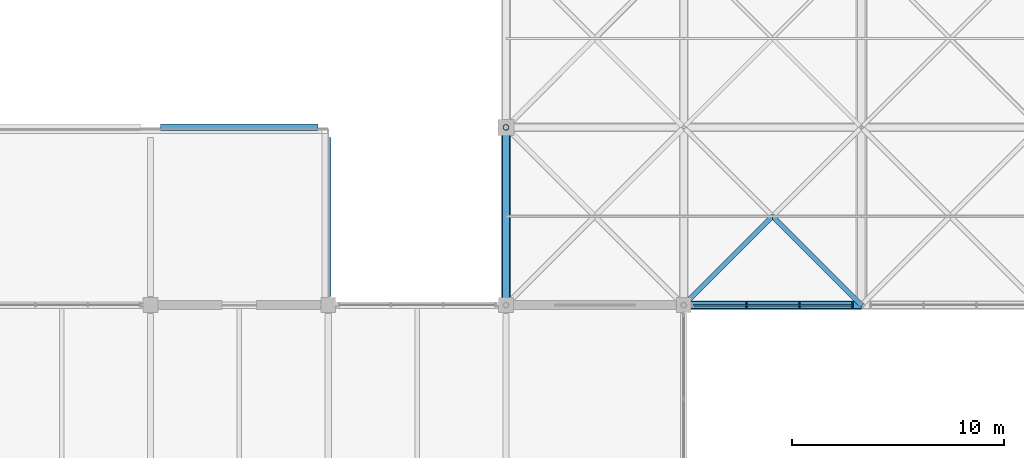
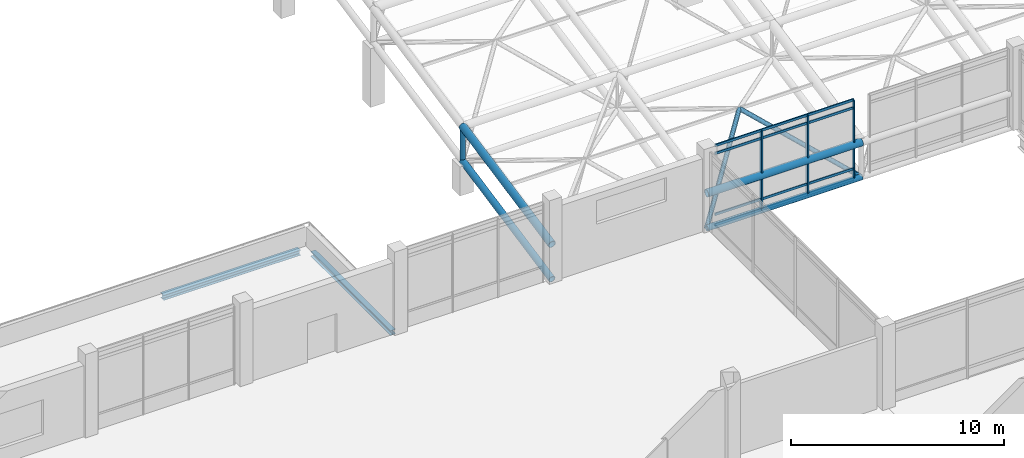
# One storey, part 22 of 110: 22 members, 2 beams, 1 element without a shape of its own.
"""IFC4 building model written with IfcOpenShell, lengths in metres."""

import ifcopenshell
import ifcopenshell.guid

model = None  # the IFC model being written
_history = None  # IfcOwnerHistory: only IFC2X3 demands one
_inside = {}  # id of a spatial element -> (the spatial element, [elements in it])
_under = {}  # id of a project, library or spatial element -> (it, [spatial elements below it])
_declared = {}  # id of a project -> (the project, [libraries it declares])
_typed = {}  # id of a type object -> (the type object, [elements of that type])
_made_of = {}  # id of a material, layer set ... -> (it, [elements and type objects made of it])


def new_model(schema):
    """Start an empty IFC model of exactly this schema.

    Asked for "IFC4X3", IfcOpenShell would pick the latest addendum, in which some entities
    have other attributes; the version numbers below select the first issue.
    IFC2X3 requires an IfcOwnerHistory on every rooted entity: one is made here for all.
    """
    global model, _history
    if schema == "IFC4X3":
        model = ifcopenshell.file(schema_version=(4, 3, 0, 0))
    else:
        model = ifcopenshell.file(schema=schema)
    _inside.clear()
    _under.clear()
    _declared.clear()
    _typed.clear()
    _made_of.clear()
    _history = None
    if model.schema == "IFC2X3":
        org = make("IfcOrganization", Name="unknown")
        user = make(
            "IfcPersonAndOrganization",
            ThePerson=make("IfcPerson", FamilyName="unknown"),
            TheOrganization=org,
        )
        app = make(
            "IfcApplication",
            ApplicationDeveloper=org,
            Version="unknown",
            ApplicationFullName="unknown",
            ApplicationIdentifier="unknown",
        )
        _history = make(
            "IfcOwnerHistory",
            OwningUser=user,
            OwningApplication=app,
            ChangeAction="ADDED",
            CreationDate=0,
        )
    return model


def make(cls, **values):
    """One entity of the class cls with the attributes given. An attribute that is None is left unset."""
    return model.create_entity(
        cls, **{name: value for name, value in values.items() if value is not None}
    )


def rooted(cls, **values):
    """An entity with a GlobalId (a new one), such as an element, a storey or a relation."""
    return make(cls, GlobalId=ifcopenshell.guid.new(), OwnerHistory=_history, **values)


def si_unit(unit_type, name, prefix=None):
    """IfcSIUnit, for example si_unit("LENGTHUNIT", "METRE", prefix="MILLI")."""
    return make("IfcSIUnit", UnitType=unit_type, Prefix=prefix, Name=name)


def assignment(units):
    """IfcUnitAssignment: the units of a project."""
    return None if units is None else make("IfcUnitAssignment", Units=units)


def point(xyz):
    """IfcCartesianPoint."""
    return None if xyz is None else make("IfcCartesianPoint", Coordinates=xyz)


def direction(xyz):
    """IfcDirection."""
    return None if xyz is None else make("IfcDirection", DirectionRatios=xyz)


def frame(location, z_axis=None, x_axis=None):
    """IfcAxis2Placement3D, a coordinate frame: its origin and axes. An axis left out is left unset."""
    return make(
        "IfcAxis2Placement3D",
        Location=point(location),
        Axis=direction(z_axis),
        RefDirection=direction(x_axis),
    )


def frame_2d(location, x_axis=None):
    """IfcAxis2Placement2D, a coordinate frame in the plane: its origin and x axis."""
    return make(
        "IfcAxis2Placement2D", Location=point(location), RefDirection=direction(x_axis)
    )


def origin():
    """The frame at (0, 0, 0) with its axes left unset."""
    return frame((0.0, 0.0, 0.0))


def origin_2d():
    """The frame at (0, 0) in the plane with its x axis left unset."""
    return frame_2d((0.0, 0.0))


def place(relative_to, where):
    """IfcLocalPlacement: puts the frame where relative to a parent placement (None: the world)."""
    return make(
        "IfcLocalPlacement", PlacementRelTo=relative_to, RelativePlacement=where
    )


def context(
    kind, dimensions, precision=None, world=None, true_north=None, identifier=None
):
    """IfcGeometricRepresentationContext, for example the 3D "Model" context."""
    return make(
        "IfcGeometricRepresentationContext",
        ContextIdentifier=identifier,
        ContextType=kind,
        CoordinateSpaceDimension=dimensions,
        Precision=precision,
        WorldCoordinateSystem=world,
        TrueNorth=true_north,
    )


def subcontext(parent, identifier, kind, view, scale=None):
    """IfcGeometricRepresentationSubContext, for example "Body" below "Model"."""
    return make(
        "IfcGeometricRepresentationSubContext",
        ContextIdentifier=identifier,
        ContextType=kind,
        ParentContext=parent,
        TargetScale=scale,
        TargetView=view,
    )


def project(units=None, contexts=None):
    """IfcProject with its units and contexts."""
    return rooted(
        "IfcProject",
        Name="project",
        RepresentationContexts=contexts,
        UnitsInContext=assignment(units),
    )


def spatial(cls, under=None, at=None, **own):
    """A site, building, storey or space (cls), placed at a placement, below another one or the project."""
    s = rooted(cls, ObjectPlacement=at, **own)
    if under is not None:
        _under.setdefault(under.id(), (under, []))[1].append(s)
    return s


def profile(cls, at=None, kind="AREA", **sizes):
    """A parametric profile (cls). Its sizes go by their IFC names, for example OverallWidth=200.0."""
    return make(cls, ProfileType=kind, Position=at, **sizes)


def rectangle(**sizes):
    """IfcRectangleProfileDef."""
    return profile("IfcRectangleProfileDef", **sizes)


def hollow_circle(**sizes):
    """IfcCircleHollowProfileDef."""
    return profile("IfcCircleHollowProfileDef", **sizes)


def i_section(**sizes):
    """IfcIShapeProfileDef."""
    return profile("IfcIShapeProfileDef", **sizes)


def extrude(swept, where, along, depth):
    """IfcExtrudedAreaSolid: the profile swept, set in the frame where, extruded along a direction by depth."""
    return make(
        "IfcExtrudedAreaSolid",
        SweptArea=swept,
        Position=where,
        ExtrudedDirection=direction(along),
        Depth=depth,
    )


def shape(context_of_items, identifier, shape_type, items):
    """IfcShapeRepresentation: the items that make up one representation, for example the "Body"."""
    return make(
        "IfcShapeRepresentation",
        ContextOfItems=context_of_items,
        RepresentationIdentifier=identifier,
        RepresentationType=shape_type,
        Items=items,
    )


def material(Name=None, Category=None):
    """IfcMaterial."""
    return make("IfcMaterial", Name=Name, Category=Category)


def layer(
    of_material, thickness, ventilated=None, Name=None, Category=None, Priority=None
):
    """IfcMaterialLayer: one layer of a wall or slab, of a material (None: an air gap)."""
    return make(
        "IfcMaterialLayer",
        Material=of_material,
        LayerThickness=thickness,
        IsVentilated=ventilated,
        Name=Name,
        Category=Category,
        Priority=Priority,
    )


def layer_set(layers, Name=None):
    """IfcMaterialLayerSet."""
    return make("IfcMaterialLayerSet", MaterialLayers=layers, LayerSetName=Name)


def material_profile(
    of_material, cross_section, Name=None, Category=None, Priority=None
):
    """IfcMaterialProfile: a cross section and its material."""
    return make(
        "IfcMaterialProfile",
        Name=Name,
        Material=of_material,
        Profile=cross_section,
        Priority=Priority,
        Category=Category,
    )


def profile_set(profiles, Name=None, composite=None):
    """IfcMaterialProfileSet."""
    return make(
        "IfcMaterialProfileSet",
        Name=Name,
        MaterialProfiles=profiles,
        CompositeProfile=composite,
    )


def made_of(thing, what):
    """Note that an element or type object is made of a material, layer set ...; save() writes the relation."""
    if what is not None:
        _made_of.setdefault(what.id(), (what, []))[1].append(thing)
    return thing


def type_object(cls, material=None, **own):
    """A type object (cls), such as IfcWallType, which elements share."""
    return made_of(rooted(cls, **own), material)


def element(
    cls,
    number,
    at=None,
    inside=None,
    cuts=None,
    type_object=None,
    material=None,
    context=None,
    identifier="Body",
    shape_type=None,
    held_by="IfcProductDefinitionShape",
    body=None,
    shapes=None,
    **own,
):
    """One element of the class cls, such as IfcWall. Its Tag is "e" and its number.

    at: its placement. inside: the storey or other place that contains it. cuts: it is an
    opening in that element (IfcRelVoidsElement). A single representation is given by context,
    identifier, shape_type and body (its items); several are given by shapes. held_by: the class
    of the entity that holds the representations. save() writes the other relations.
    """
    e = rooted(cls, Tag="e%d" % number, ObjectPlacement=at, **own)
    if body is not None:
        shapes = [shape(context, identifier, shape_type, body)]
    if shapes is not None:
        e.Representation = make(held_by, Representations=shapes)
    if inside is not None:
        _inside.setdefault(inside.id(), (inside, []))[1].append(e)
    if cuts is not None:
        rooted(
            "IfcRelVoidsElement", RelatingBuildingElement=cuts, RelatedOpeningElement=e
        )
    if type_object is not None:
        _typed.setdefault(type_object.id(), (type_object, []))[1].append(e)
    return made_of(e, material)


def aggregate(whole, parts):
    """IfcRelAggregates: a whole, such as a stair, and the parts it consists of."""
    return rooted("IfcRelAggregates", RelatingObject=whole, RelatedObjects=parts)


def save(model, path):
    """Write the relations noted so far, then the file.

    IfcRelAggregates (storeys below a building ...), IfcRelContainedInSpatialStructure (elements
    in a storey), IfcRelDefinesByType, IfcRelAssociatesMaterial and IfcRelDeclares: one each for
    every whole, place, type object, material and project.
    """
    for whole, parts in _under.values():
        aggregate(whole, parts)
    for where, things in _inside.values():
        rooted(
            "IfcRelContainedInSpatialStructure",
            RelatedElements=things,
            RelatingStructure=where,
        )
    for kind, things in _typed.values():
        rooted("IfcRelDefinesByType", RelatedObjects=things, RelatingType=kind)
    for what, things in _made_of.values():
        rooted("IfcRelAssociatesMaterial", RelatedObjects=things, RelatingMaterial=what)
    for by, libraries in _declared.values():
        rooted("IfcRelDeclares", RelatingContext=by, RelatedDefinitions=libraries)
    model.write(path)


model = new_model("IFC4")

# Units and contexts
model_context = context("Model", 3, precision=1e-05, world=origin(), true_north=direction((0.0, 1.0)))
body_context = subcontext(model_context, "Body", "Model", "MODEL_VIEW")
ifc_project = project(units=[si_unit("LENGTHUNIT", "METRE"), si_unit("AREAUNIT", "SQUARE_METRE"), si_unit("VOLUMEUNIT", "CUBIC_METRE"), si_unit("PLANEANGLEUNIT", "RADIAN"), si_unit("MASSUNIT", "GRAM", prefix="KILO")], contexts=[model_context])

# Site, building, storey
site_placement = place(None, origin())
site = spatial("IfcSite", under=ifc_project, at=site_placement, CompositionType="ELEMENT")
building_placement = place(site_placement, origin())
building = spatial("IfcBuilding", under=site, at=building_placement, Name="Qawsi Khor Wholesale Market", CompositionType="ELEMENT")
storey_placement = place(building_placement, frame((0.0, 0.0, 11.39990234375)))
storey = spatial("IfcBuildingStorey", under=building, at=storey_placement, Name="L02", CompositionType="ELEMENT", Elevation=11.39990234375)

# Curtain wall, members
ifc_material_1 = material(Name="Aluminium Anodised Bronze", Category="aluminium")
ifc_layer = layer(ifc_material_1, 0.179931640625, Name="Aluminium Anodised Bronze")
ifc_layer_set = layer_set([ifc_layer], Name="Aluminium Anodised Bronze")
curtain_wall_type = type_object("IfcCurtainWallType", Name="Atrium Full-Height Curtain Wall CW-02", PredefinedType="NOTDEFINED", material=ifc_layer_set)
curtain_wall_placement = place(storey_placement, origin())
curtain_wall = element("IfcCurtainWall", 1, at=curtain_wall_placement, inside=storey, type_object=curtain_wall_type, Name="Curtain wall CW-CW-02-L02-042", PredefinedType="NOTDEFINED")
ifc_material_profile_1 = material_profile(ifc_material_1, rectangle(XDim=0.070068359375, YDim=0.199951171875, at=origin_2d()), Name="ALU MULLION 70x200")
ifc_profile_set_1 = profile_set([ifc_material_profile_1], Name="Aluminium Anodised Bronze")
member_type_1 = type_object("IfcMemberType", Name="Curtain Wall Mullion CW-02 ALU MULLION 70x200", PredefinedType="MULLION", material=ifc_profile_set_1)
member_1_placement = place(storey_placement, frame((154.15673828125, 42.0, -0.02001953125), z_axis=(0.0, 0.0, 1.0), x_axis=(1.0, 0.0, 0.0)))
member_1 = element("IfcMember", 2, at=member_1_placement, type_object=member_type_1, Name="Mullion CW-CW-02-L02-042-M01", PredefinedType="MULLION", context=body_context, shape_type="SweptSolid", body=[
    extrude(rectangle(XDim=0.070068359375, YDim=0.199951171875, at=origin_2d()), origin(), (0.0, 0.0, 1.0), 4.570068359375),
])
member_2_placement = place(storey_placement, frame((156.668212890625, 42.0, -0.02001953125), z_axis=(0.0, 0.0, 1.0), x_axis=(1.0, 0.0, 0.0)))
member_2 = element("IfcMember", 3, at=member_2_placement, type_object=member_type_1, Name="Mullion CW-CW-02-L02-042-M02", PredefinedType="MULLION", context=body_context, shape_type="SweptSolid", body=[
    extrude(rectangle(XDim=0.070068359375, YDim=0.199951171875, at=origin_2d()), origin(), (0.0, 0.0, 1.0), 4.570068359375),
])
member_3_placement = place(storey_placement, frame((159.179931640625, 42.0, -0.02001953125), z_axis=(0.0, 0.0, 1.0), x_axis=(1.0, 0.0, 0.0)))
member_3 = element("IfcMember", 4, at=member_3_placement, type_object=member_type_1, Name="Mullion CW-CW-02-L02-042-M03", PredefinedType="MULLION", context=body_context, shape_type="SweptSolid", body=[
    extrude(rectangle(XDim=0.070068359375, YDim=0.199951171875, at=origin_2d()), origin(), (0.0, 0.0, 1.0), 4.570068359375),
])
ifc_material_profile_2 = material_profile(ifc_material_1, rectangle(XDim=0.06494140625, YDim=0.139892578125, at=origin_2d()), Name="ALU TRANSOM 65x140")
ifc_profile_set_2 = profile_set([ifc_material_profile_2], Name="Aluminium Anodised Bronze")
member_type_2 = type_object("IfcMemberType", Name="Curtain Wall Transom CW-02 ALU TRANSOM 65x140", PredefinedType="USERDEFINED", material=ifc_profile_set_2)
member_4_placement = place(storey_placement, frame((151.64501953125, 42.0, 0.0), z_axis=(1.0, 0.0, 0.0), x_axis=(0.0, 1.0, 0.0)))
member_4 = element("IfcMember", 5, at=member_4_placement, type_object=member_type_2, Name="Transom CW-CW-02-L02-042-T0_00", ObjectType="TRANSOM", PredefinedType="USERDEFINED", context=body_context, shape_type="SweptSolid", body=[
    extrude(rectangle(XDim=0.06494140625, YDim=0.139892578125, at=origin_2d()), origin(), (0.0, 0.0, 1.0), 2.51171875),
])
member_5_placement = place(storey_placement, frame((154.15673828125, 42.0, 0.0), z_axis=(1.0, 0.0, 0.0), x_axis=(0.0, 1.0, 0.0)))
member_5 = element("IfcMember", 6, at=member_5_placement, type_object=member_type_2, Name="Transom CW-CW-02-L02-042-T0_01", ObjectType="TRANSOM", PredefinedType="USERDEFINED", context=body_context, shape_type="SweptSolid", body=[
    extrude(rectangle(XDim=0.06494140625, YDim=0.139892578125, at=origin_2d()), origin(), (0.0, 0.0, 1.0), 2.511474609375),
])
member_6_placement = place(storey_placement, frame((156.668212890625, 42.0, 0.0), z_axis=(1.0, 0.0, 0.0), x_axis=(0.0, 1.0, 0.0)))
member_6 = element("IfcMember", 7, at=member_6_placement, type_object=member_type_2, Name="Transom CW-CW-02-L02-042-T0_02", ObjectType="TRANSOM", PredefinedType="USERDEFINED", context=body_context, shape_type="SweptSolid", body=[
    extrude(rectangle(XDim=0.06494140625, YDim=0.139892578125, at=origin_2d()), origin(), (0.0, 0.0, 1.0), 2.51171875),
])
member_7_placement = place(storey_placement, frame((151.64501953125, 42.0, 0.60009765625), z_axis=(1.0, 0.0, 0.0), x_axis=(0.0, 1.0, 0.0)))
member_7 = element("IfcMember", 8, at=member_7_placement, type_object=member_type_2, Name="Transom CW-CW-02-L02-042-T1_00", ObjectType="TRANSOM", PredefinedType="USERDEFINED", context=body_context, shape_type="SweptSolid", body=[
    extrude(rectangle(XDim=0.06494140625, YDim=0.139892578125, at=origin_2d()), origin(), (0.0, 0.0, 1.0), 2.51171875),
])
member_8_placement = place(storey_placement, frame((154.15673828125, 42.0, 0.60009765625), z_axis=(1.0, 0.0, 0.0), x_axis=(0.0, 1.0, 0.0)))
member_8 = element("IfcMember", 9, at=member_8_placement, type_object=member_type_2, Name="Transom CW-CW-02-L02-042-T1_01", ObjectType="TRANSOM", PredefinedType="USERDEFINED", context=body_context, shape_type="SweptSolid", body=[
    extrude(rectangle(XDim=0.06494140625, YDim=0.139892578125, at=origin_2d()), origin(), (0.0, 0.0, 1.0), 2.511474609375),
])
member_9_placement = place(storey_placement, frame((156.668212890625, 42.0, 0.60009765625), z_axis=(1.0, 0.0, 0.0), x_axis=(0.0, 1.0, 0.0)))
member_9 = element("IfcMember", 10, at=member_9_placement, type_object=member_type_2, Name="Transom CW-CW-02-L02-042-T1_02", ObjectType="TRANSOM", PredefinedType="USERDEFINED", context=body_context, shape_type="SweptSolid", body=[
    extrude(rectangle(XDim=0.06494140625, YDim=0.139892578125, at=origin_2d()), origin(), (0.0, 0.0, 1.0), 2.51171875),
])
member_10_placement = place(storey_placement, frame((151.64501953125, 42.0, 4.10009765625), z_axis=(1.0, 0.0, 0.0), x_axis=(0.0, 1.0, 0.0)))
member_10 = element("IfcMember", 11, at=member_10_placement, type_object=member_type_2, Name="Transom CW-CW-02-L02-042-T2_00", ObjectType="TRANSOM", PredefinedType="USERDEFINED", context=body_context, shape_type="SweptSolid", body=[
    extrude(rectangle(XDim=0.06494140625, YDim=0.139892578125, at=origin_2d()), origin(), (0.0, 0.0, 1.0), 2.51171875),
])
member_11_placement = place(storey_placement, frame((154.15673828125, 42.0, 4.10009765625), z_axis=(1.0, 0.0, 0.0), x_axis=(0.0, 1.0, 0.0)))
member_11 = element("IfcMember", 12, at=member_11_placement, type_object=member_type_2, Name="Transom CW-CW-02-L02-042-T2_01", ObjectType="TRANSOM", PredefinedType="USERDEFINED", context=body_context, shape_type="SweptSolid", body=[
    extrude(rectangle(XDim=0.06494140625, YDim=0.139892578125, at=origin_2d()), origin(), (0.0, 0.0, 1.0), 2.511474609375),
])
member_12_placement = place(storey_placement, frame((156.668212890625, 42.0, 4.10009765625), z_axis=(1.0, 0.0, 0.0), x_axis=(0.0, 1.0, 0.0)))
member_12 = element("IfcMember", 13, at=member_12_placement, type_object=member_type_2, Name="Transom CW-CW-02-L02-042-T2_02", ObjectType="TRANSOM", PredefinedType="USERDEFINED", context=body_context, shape_type="SweptSolid", body=[
    extrude(rectangle(XDim=0.06494140625, YDim=0.139892578125, at=origin_2d()), origin(), (0.0, 0.0, 1.0), 2.51171875),
])
member_13_placement = place(storey_placement, frame((151.64501953125, 42.0, 4.550048828125), z_axis=(1.0, 0.0, 0.0), x_axis=(0.0, 1.0, 0.0)))
member_13 = element("IfcMember", 14, at=member_13_placement, type_object=member_type_2, Name="Transom CW-CW-02-L02-042-T3_00", ObjectType="TRANSOM", PredefinedType="USERDEFINED", context=body_context, shape_type="SweptSolid", body=[
    extrude(rectangle(XDim=0.06494140625, YDim=0.139892578125, at=origin_2d()), origin(), (0.0, 0.0, 1.0), 2.51171875),
])
member_14_placement = place(storey_placement, frame((154.15673828125, 42.0, 4.550048828125), z_axis=(1.0, 0.0, 0.0), x_axis=(0.0, 1.0, 0.0)))
member_14 = element("IfcMember", 15, at=member_14_placement, type_object=member_type_2, Name="Transom CW-CW-02-L02-042-T3_01", ObjectType="TRANSOM", PredefinedType="USERDEFINED", context=body_context, shape_type="SweptSolid", body=[
    extrude(rectangle(XDim=0.06494140625, YDim=0.139892578125, at=origin_2d()), origin(), (0.0, 0.0, 1.0), 2.511474609375),
])
member_15_placement = place(storey_placement, frame((156.668212890625, 42.0, 4.550048828125), z_axis=(1.0, 0.0, 0.0), x_axis=(0.0, 1.0, 0.0)))
member_15 = element("IfcMember", 16, at=member_15_placement, type_object=member_type_2, Name="Transom CW-CW-02-L02-042-T3_02", ObjectType="TRANSOM", PredefinedType="USERDEFINED", context=body_context, shape_type="SweptSolid", body=[
    extrude(rectangle(XDim=0.06494140625, YDim=0.139892578125, at=origin_2d()), origin(), (0.0, 0.0, 1.0), 2.51171875),
])
aggregate(curtain_wall, [member_1, member_2, member_3, member_4, member_5, member_6, member_7, member_8, member_9, member_10, member_11, member_12, member_13, member_14, member_15])

# Beam
ifc_material_2 = material(Name="Steel S355", Category="steel")
ifc_material_profile_3 = material_profile(ifc_material_2, i_section(OverallWidth=0.280029296875, OverallDepth=0.27001953125, WebThickness=0.008056640625, FlangeThickness=0.012939453125, FilletRadius=0.02392578125, at=origin_2d()), Name="HEA 280")
ifc_profile_set_3 = profile_set([ifc_material_profile_3], Name="Steel S355")
beam_type_1 = type_object("IfcBeamType", Name="Primary Girder HEA 280", PredefinedType="BEAM", material=ifc_profile_set_3)
beam_1_placement = place(storey_placement, frame((134.39990234375, 42.39990234375, -0.385009765625), z_axis=(0.0, 1.0, 0.0), x_axis=(-1.0, 0.0, 0.0)))
element("IfcBeam", 17, at=beam_1_placement, inside=storey, type_object=beam_type_1, Name="BM-Y-L02-16_+05", PredefinedType="BEAM", context=body_context, shape_type="SweptSolid", body=[
    extrude(i_section(OverallWidth=0.280029296875, OverallDepth=0.27001953125, WebThickness=0.008056640625, FlangeThickness=0.012939453125, FilletRadius=0.02392578125, at=origin_2d()), origin(), (0.0, 0.0, 1.0), 7.525146484375),
])

# Members
ifc_material_profile_4 = material_profile(ifc_material_2, hollow_circle(Radius=0.177734375, WallThickness=0.01611328125, at=origin_2d()), Name="CHS 355.6x16.0")
ifc_profile_set_4 = profile_set([ifc_material_profile_4], Name="Steel S355")
member_type_3 = type_object("IfcMemberType", Name="Space-Frame Bottom Chord CHS 355.6x16.0", PredefinedType="CHORD", material=ifc_profile_set_4)
member_16_placement = place(storey_placement, frame((142.800048828125, 42.0, -0.02978515625), z_axis=(0.0, 0.980129990483, 0.1983562496), x_axis=(-1.0, 0.0, 0.0)))
element("IfcMember", 18, at=member_16_placement, inside=storey, type_object=member_type_3, Name="Space frame bottom chord Y EH (17,5)", PredefinedType="CHORD", context=body_context, shape_type="SweptSolid", body=[
    extrude(hollow_circle(Radius=0.177734375, WallThickness=0.01611328125, at=origin_2d()), origin(), (0.0, 0.0, 1.0), 8.5703125),
])
ifc_material_profile_5 = material_profile(ifc_material_2, hollow_circle(Radius=0.136474609375, WallThickness=0.012451171875, at=origin_2d()), Name="CHS 273.0x12.5")
ifc_profile_set_5 = profile_set([ifc_material_profile_5], Name="Steel S355")
member_type_4 = type_object("IfcMemberType", Name="Space-Frame Edge Post CHS 273.0x12.5", PredefinedType="POST", material=ifc_profile_set_5)
member_17_placement = place(storey_placement, frame((142.800048828125, 50.39990234375, 1.670166015625), z_axis=(0.0, 0.0, 1.0), x_axis=(1.0, 0.0, 0.0)))
element("IfcMember", 19, at=member_17_placement, inside=storey, type_object=member_type_4, Name="Space frame post EH (17,6)", PredefinedType="POST", context=body_context, shape_type="SweptSolid", body=[
    extrude(hollow_circle(Radius=0.136474609375, WallThickness=0.012451171875, at=origin_2d()), origin(), (0.0, 0.0, 1.0), 2.0),
])
ifc_material_profile_6 = material_profile(ifc_material_2, hollow_circle(Radius=0.122314453125, WallThickness=0.012451171875, at=origin_2d()), Name="CHS 244.5x12.5")
ifc_profile_set_6 = profile_set([ifc_material_profile_6], Name="Steel S355")
member_type_5 = type_object("IfcMemberType", Name="Space-Frame Heavy Diagonal CHS 244.5x12.5", PredefinedType="POST", material=ifc_profile_set_6)
member_18_placement = place(storey_placement, frame((151.199951171875, 42.0, -0.02978515625), z_axis=(0.637521961484, 0.637521961484, 0.432586982294), x_axis=(-0.707106781187, 0.707106781187, 0.0)))
element("IfcMember", 20, at=member_18_placement, inside=storey, type_object=member_type_5, Name="Space frame diagonal EH (18,5)-1", PredefinedType="POST", context=body_context, shape_type="SweptSolid", body=[
    extrude(hollow_circle(Radius=0.122314453125, WallThickness=0.012451171875, at=origin_2d()), origin(), (0.0, 0.0, 1.0), 6.587890625),
])
member_19_placement = place(storey_placement, frame((159.60009765625, 42.0, -0.02978515625), z_axis=(-0.637543957519, 0.637506899628, 0.432576762155), x_axis=(-0.70708622964, -0.707127332136, 0.0)))
element("IfcMember", 21, at=member_19_placement, inside=storey, type_object=member_type_5, Name="Space frame diagonal EH (18,5)-2", PredefinedType="POST", context=body_context, shape_type="SweptSolid", body=[
    extrude(hollow_circle(Radius=0.122314453125, WallThickness=0.012451171875, at=origin_2d()), origin(), (0.0, 0.0, 1.0), 6.588134765625),
])
ifc_material_profile_7 = material_profile(ifc_material_2, hollow_circle(Radius=0.161865234375, WallThickness=0.01611328125, at=origin_2d()), Name="CHS 323.9x16.0")
ifc_profile_set_7 = profile_set([ifc_material_profile_7], Name="Steel S355")
member_type_6 = type_object("IfcMemberType", Name="Space-Frame Secondary Chord CHS 323.9x16.0", PredefinedType="CHORD", material=ifc_profile_set_7)
member_20_placement = place(storey_placement, frame((151.199951171875, 42.0, -0.02978515625), z_axis=(1.0, 0.0, 0.0), x_axis=(0.0, 1.0, 0.0)))
element("IfcMember", 22, at=member_20_placement, inside=storey, type_object=member_type_6, Name="Space frame bottom chord X EH (18,5)", PredefinedType="CHORD", context=body_context, shape_type="SweptSolid", body=[
    extrude(hollow_circle(Radius=0.161865234375, WallThickness=0.01611328125, at=origin_2d()), origin(), (0.0, 0.0, 1.0), 8.400146484375),
])
ifc_material_profile_8 = material_profile(ifc_material_2, hollow_circle(Radius=0.203125, WallThickness=0.02001953125, at=origin_2d()), Name="CHS 406.4x20.0")
ifc_profile_set_8 = profile_set([ifc_material_profile_8], Name="Steel S355")
member_type_7 = type_object("IfcMemberType", Name="Space-Frame Top Chord CHS 406.4x20.0", PredefinedType="CHORD", material=ifc_profile_set_8)
member_21_placement = place(storey_placement, frame((142.800048828125, 42.0, 1.97021484375), z_axis=(0.0, 0.980129990483, 0.1983562496), x_axis=(-1.0, 0.0, 0.0)))
element("IfcMember", 23, at=member_21_placement, inside=storey, type_object=member_type_7, Name="Space frame top chord Y EH (17,5)", PredefinedType="CHORD", context=body_context, shape_type="SweptSolid", body=[
    extrude(hollow_circle(Radius=0.203125, WallThickness=0.02001953125, at=origin_2d()), origin(), (0.0, 0.0, 1.0), 8.5703125),
])
member_22_placement = place(storey_placement, frame((151.199951171875, 42.0, 1.97021484375), z_axis=(1.0, 0.0, 0.0), x_axis=(0.0, 1.0, 0.0)))
element("IfcMember", 24, at=member_22_placement, inside=storey, type_object=member_type_7, Name="Space frame top chord X EH (18,5)", PredefinedType="CHORD", context=body_context, shape_type="SweptSolid", body=[
    extrude(hollow_circle(Radius=0.203125, WallThickness=0.02001953125, at=origin_2d()), origin(), (0.0, 0.0, 1.0), 8.400146484375),
])

# Beam
ifc_material_profile_9 = material_profile(ifc_material_2, i_section(OverallWidth=0.300048828125, OverallDepth=0.300048828125, WebThickness=0.010986328125, FlangeThickness=0.01904296875, FilletRadius=0.027099609375, at=origin_2d()), Name="HEB 300")
ifc_profile_set_9 = profile_set([ifc_material_profile_9], Name="Steel S355")
beam_type_2 = type_object("IfcBeamType", Name="Tie Beam HEB 300", PredefinedType="BEAM", material=ifc_profile_set_9)
beam_2_placement = place(storey_placement, frame((126.47509765625, 50.39990234375, -0.39990234375), z_axis=(1.0, 0.0, 0.0), x_axis=(0.0, 1.0, 0.0)))
element("IfcBeam", 25, at=beam_2_placement, inside=storey, type_object=beam_type_2, Name="BM-X-L02-15_+06", PredefinedType="BEAM", context=body_context, shape_type="SweptSolid", body=[
    extrude(i_section(OverallWidth=0.300048828125, OverallDepth=0.300048828125, WebThickness=0.010986328125, FlangeThickness=0.01904296875, FilletRadius=0.027099609375, at=origin_2d()), origin(), (0.0, 0.0, 1.0), 7.449951171875),
])

save(model, "model.ifc")
